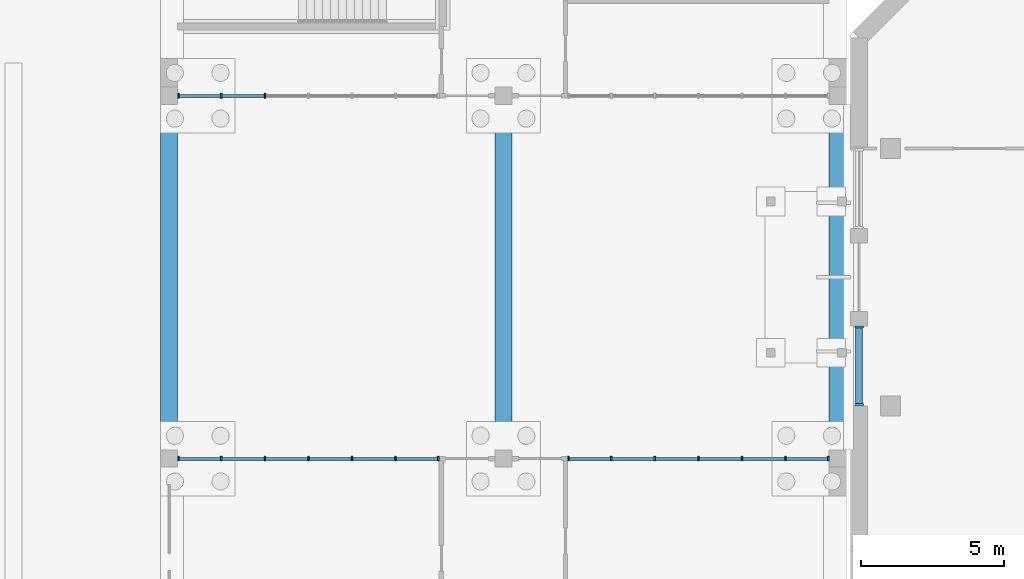
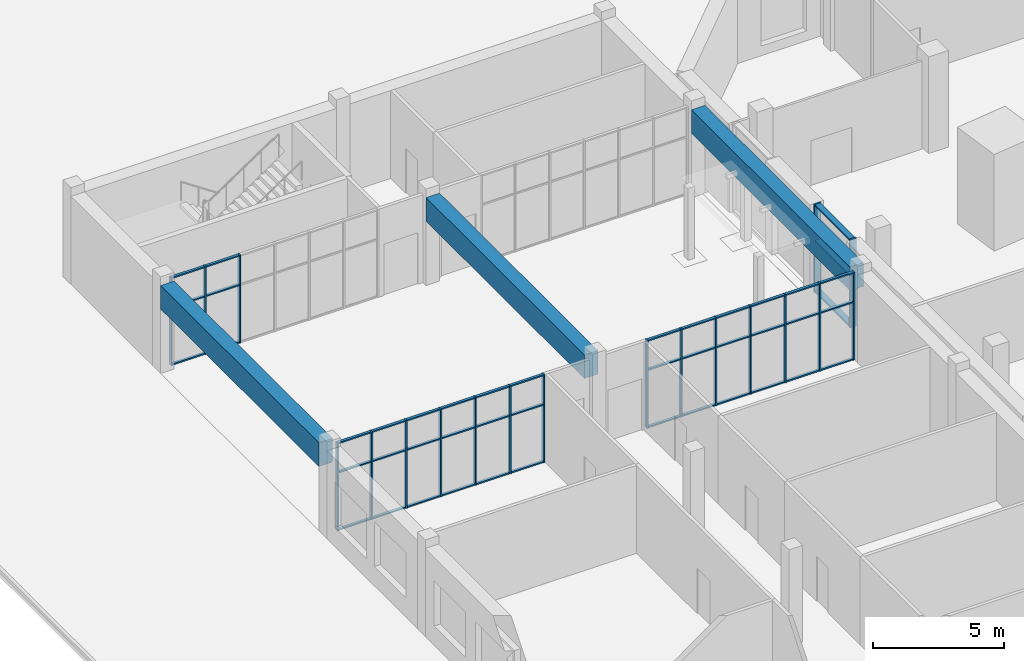
# One storey, part 11 of 42: 64 members, 3 beams, 4 elements without a shape of their own.
"""IFC4 building model written with IfcOpenShell, lengths in metres."""

from ifc_helpers import new_model, si_unit, direction, frame, origin, origin_2d, place, context, subcontext, project, spatial, rectangle, extrude, material, material_profile, profile_set, type_object, element, aggregate, save


model = new_model("IFC4")

# Units and contexts
model_context = context("Model", 3, precision=1e-05, world=origin(), true_north=direction((0.0, 1.0)))
body_context = subcontext(model_context, "Body", "Model", "MODEL_VIEW")
ifc_project = project(units=[si_unit("LENGTHUNIT", "METRE"), si_unit("AREAUNIT", "SQUARE_METRE"), si_unit("VOLUMEUNIT", "CUBIC_METRE"), si_unit("PLANEANGLEUNIT", "RADIAN"), si_unit("MASSUNIT", "GRAM", prefix="KILO")], contexts=[model_context])

# Site, building, storey
site_placement = place(None, origin())
site = spatial("IfcSite", under=ifc_project, at=site_placement, CompositionType="ELEMENT")
building_placement = place(site_placement, origin())
building = spatial("IfcBuilding", under=site, at=building_placement, Name="Dilmun Exchange Tower", CompositionType="ELEMENT")
storey_placement = place(building_placement, origin())
storey = spatial("IfcBuildingStorey", under=building, at=storey_placement, Name="L00", CompositionType="ELEMENT", Elevation=0.0)

# Curtain wall, members
ifc_material_1 = material(Name="Anodised aluminium and clear glass", Category="aluminium")
curtain_wall_type_1 = type_object("IfcCurtainWallType", Name="Concourse glazing", PredefinedType="NOTDEFINED", material=ifc_material_1)
curtain_wall_1_placement = place(storey_placement, origin())
curtain_wall_1 = element("IfcCurtainWall", 1, at=curtain_wall_1_placement, inside=storey, type_object=curtain_wall_type_1, Name="Concourse glazing run CG7.4", PredefinedType="NOTDEFINED")
ifc_material_2 = material(Name="Anodised aluminium", Category="aluminium")
ifc_material_profile_1 = material_profile(ifc_material_2, rectangle(XDim=0.300048828125, YDim=0.080078125, at=origin_2d()), Name="AL 80x300")
ifc_profile_set_1 = profile_set([ifc_material_profile_1], Name="Anodised aluminium")
member_type_1 = type_object("IfcMemberType", Name="Concourse glazing mullion 80 x 300", PredefinedType="MULLION", material=ifc_profile_set_1)
member_1_placement = place(storey_placement, frame((-35.699951171875, 20.760009765625, 0.0), z_axis=(0.0, 0.0, 1.0), x_axis=(1.0, 0.0, 0.0)))
member_1 = element("IfcMember", 2, at=member_1_placement, type_object=member_type_1, Name="CG7.4 mullion 1", PredefinedType="MULLION", context=body_context, shape_type="SweptSolid", body=[
    extrude(rectangle(XDim=0.300048828125, YDim=0.080078125, at=origin_2d()), origin(), (0.0, 0.0, 1.0), 4.10009765625),
])
member_2_placement = place(storey_placement, frame((-35.699951171875, 18.0400390625, 0.0), z_axis=(0.0, 0.0, 1.0), x_axis=(1.0, 0.0, 0.0)))
member_2 = element("IfcMember", 3, at=member_2_placement, type_object=member_type_1, Name="CG7.4 mullion 2", PredefinedType="MULLION", context=body_context, shape_type="SweptSolid", body=[
    extrude(rectangle(XDim=0.300048828125, YDim=0.080078125, at=origin_2d()), origin(), (0.0, 0.0, 1.0), 4.10009765625),
])
ifc_material_profile_2 = material_profile(ifc_material_2, rectangle(XDim=0.25, YDim=0.080078125, at=origin_2d()), Name="AL 80x250")
ifc_profile_set_2 = profile_set([ifc_material_profile_2], Name="Anodised aluminium")
member_type_2 = type_object("IfcMemberType", Name="Concourse glazing transom 80 x 250", PredefinedType="USERDEFINED", material=ifc_profile_set_2)
member_3_placement = place(storey_placement, frame((-35.699951171875, 20.719970703125, 0.0400390625), z_axis=(0.0, -1.0, 0.0), x_axis=(1.0, 0.0, 0.0)))
member_3 = element("IfcMember", 4, at=member_3_placement, type_object=member_type_2, Name="CG7.4 transom 1.1", ObjectType="TRANSOM", PredefinedType="USERDEFINED", context=body_context, shape_type="SweptSolid", body=[
    extrude(rectangle(XDim=0.25, YDim=0.080078125, at=origin_2d()), origin(), (0.0, 0.0, 1.0), 2.639892578125),
])
member_4_placement = place(storey_placement, frame((-35.699951171875, 20.719970703125, 2.39990234375), z_axis=(0.0, -1.0, 0.0), x_axis=(1.0, 0.0, 0.0)))
member_4 = element("IfcMember", 5, at=member_4_placement, type_object=member_type_2, Name="CG7.4 transom 1.2", ObjectType="TRANSOM", PredefinedType="USERDEFINED", context=body_context, shape_type="SweptSolid", body=[
    extrude(rectangle(XDim=0.25, YDim=0.080078125, at=origin_2d()), origin(), (0.0, 0.0, 1.0), 2.639892578125),
])
member_5_placement = place(storey_placement, frame((-35.699951171875, 20.719970703125, 4.06005859375), z_axis=(0.0, -1.0, 0.0), x_axis=(1.0, 0.0, 0.0)))
member_5 = element("IfcMember", 6, at=member_5_placement, type_object=member_type_2, Name="CG7.4 transom 1.3", ObjectType="TRANSOM", PredefinedType="USERDEFINED", context=body_context, shape_type="SweptSolid", body=[
    extrude(rectangle(XDim=0.25, YDim=0.080078125, at=origin_2d()), origin(), (0.0, 0.0, 1.0), 2.639892578125),
])
aggregate(curtain_wall_1, [member_1, member_2, member_3, member_4, member_5])

ifc_material_3 = material(Name="Aluminium", Category="aluminium")
curtain_wall_type_2 = type_object("IfcCurtainWallType", Name="School arcade glazing", PredefinedType="NOTDEFINED", material=ifc_material_3)
curtain_wall_2_placement = place(storey_placement, origin())
curtain_wall_2 = element("IfcCurtainWall", 7, at=curtain_wall_2_placement, inside=storey, type_object=curtain_wall_type_2, Name="School arcade glazing", PredefinedType="NOTDEFINED")
ifc_material_profile_3 = material_profile(ifc_material_3, rectangle(XDim=0.159912109375, YDim=0.06005859375, at=origin_2d()), Name="60 x 160")
ifc_profile_set_3 = profile_set([ifc_material_profile_3], Name="Aluminium")
member_type_3 = type_object("IfcMemberType", Name="School arcade glazing mullion 60 x 160", PredefinedType="MULLION", material=ifc_profile_set_3)
member_6_placement = place(storey_placement, frame((-56.5, 28.85009765625, 0.0), z_axis=(0.0, 0.0, 1.0), x_axis=(0.0, -1.0, 0.0)))
member_6 = element("IfcMember", 8, at=member_6_placement, type_object=member_type_3, Name="SCH-CW1 mullion 5", PredefinedType="MULLION", context=body_context, shape_type="SweptSolid", body=[
    extrude(rectangle(XDim=0.159912109375, YDim=0.06005859375, at=origin_2d()), origin(), (0.0, 0.0, 1.0), 4.10009765625),
])
member_7_placement = place(storey_placement, frame((-58.02490234375, 28.85009765625, 0.0), z_axis=(0.0, 0.0, 1.0), x_axis=(0.0, -1.0, 0.0)))
member_7 = element("IfcMember", 9, at=member_7_placement, type_object=member_type_3, Name="SCH-CW1 mullion 6", PredefinedType="MULLION", context=body_context, shape_type="SweptSolid", body=[
    extrude(rectangle(XDim=0.159912109375, YDim=0.06005859375, at=origin_2d()), origin(), (0.0, 0.0, 1.0), 4.10009765625),
])
member_8_placement = place(storey_placement, frame((-59.52001953125, 28.85009765625, 0.0), z_axis=(0.0, 0.0, 1.0), x_axis=(0.0, -1.0, 0.0)))
member_8 = element("IfcMember", 10, at=member_8_placement, type_object=member_type_3, Name="SCH-CW1 mullion 7", PredefinedType="MULLION", context=body_context, shape_type="SweptSolid", body=[
    extrude(rectangle(XDim=0.159912109375, YDim=0.06005859375, at=origin_2d()), origin(), (0.0, 0.0, 1.0), 4.10009765625),
])

curtain_wall_3_placement = place(storey_placement, origin())
curtain_wall_3 = element("IfcCurtainWall", 11, at=curtain_wall_3_placement, inside=storey, type_object=curtain_wall_type_2, Name="School arcade glazing", PredefinedType="NOTDEFINED")
member_9_placement = place(storey_placement, frame((-59.52001953125, 16.14990234375, 0.0), z_axis=(0.0, 0.0, 1.0), x_axis=(0.0, 1.0, 0.0)))
member_9 = element("IfcMember", 12, at=member_9_placement, type_object=member_type_3, Name="SCH-CW1 mullion 1", PredefinedType="MULLION", context=body_context, shape_type="SweptSolid", body=[
    extrude(rectangle(XDim=0.159912109375, YDim=0.06005859375, at=origin_2d()), origin(), (0.0, 0.0, 1.0), 4.10009765625),
])
member_10_placement = place(storey_placement, frame((-58.02490234375, 16.14990234375, 0.0), z_axis=(0.0, 0.0, 1.0), x_axis=(0.0, 1.0, 0.0)))
member_10 = element("IfcMember", 13, at=member_10_placement, type_object=member_type_3, Name="SCH-CW1 mullion 2", PredefinedType="MULLION", context=body_context, shape_type="SweptSolid", body=[
    extrude(rectangle(XDim=0.159912109375, YDim=0.06005859375, at=origin_2d()), origin(), (0.0, 0.0, 1.0), 4.10009765625),
])
member_11_placement = place(storey_placement, frame((-56.5, 16.14990234375, 0.0), z_axis=(0.0, 0.0, 1.0), x_axis=(0.0, 1.0, 0.0)))
member_11 = element("IfcMember", 14, at=member_11_placement, type_object=member_type_3, Name="SCH-CW1 mullion 3", PredefinedType="MULLION", context=body_context, shape_type="SweptSolid", body=[
    extrude(rectangle(XDim=0.159912109375, YDim=0.06005859375, at=origin_2d()), origin(), (0.0, 0.0, 1.0), 4.10009765625),
])
member_12_placement = place(storey_placement, frame((-54.97509765625, 16.14990234375, 0.0), z_axis=(0.0, 0.0, 1.0), x_axis=(0.0, 1.0, 0.0)))
member_12 = element("IfcMember", 15, at=member_12_placement, type_object=member_type_3, Name="SCH-CW1 mullion 4", PredefinedType="MULLION", context=body_context, shape_type="SweptSolid", body=[
    extrude(rectangle(XDim=0.159912109375, YDim=0.06005859375, at=origin_2d()), origin(), (0.0, 0.0, 1.0), 4.10009765625),
])
member_13_placement = place(storey_placement, frame((-53.449951171875, 16.14990234375, 0.0), z_axis=(0.0, 0.0, 1.0), x_axis=(0.0, 1.0, 0.0)))
member_13 = element("IfcMember", 16, at=member_13_placement, type_object=member_type_3, Name="SCH-CW1 mullion 5", PredefinedType="MULLION", context=body_context, shape_type="SweptSolid", body=[
    extrude(rectangle(XDim=0.159912109375, YDim=0.06005859375, at=origin_2d()), origin(), (0.0, 0.0, 1.0), 4.10009765625),
])
member_14_placement = place(storey_placement, frame((-51.925048828125, 16.14990234375, 0.0), z_axis=(0.0, 0.0, 1.0), x_axis=(0.0, 1.0, 0.0)))
member_14 = element("IfcMember", 17, at=member_14_placement, type_object=member_type_3, Name="SCH-CW1 mullion 6", PredefinedType="MULLION", context=body_context, shape_type="SweptSolid", body=[
    extrude(rectangle(XDim=0.159912109375, YDim=0.06005859375, at=origin_2d()), origin(), (0.0, 0.0, 1.0), 4.10009765625),
])
member_15_placement = place(storey_placement, frame((-50.429931640625, 16.14990234375, 0.0), z_axis=(0.0, 0.0, 1.0), x_axis=(0.0, 1.0, 0.0)))
member_15 = element("IfcMember", 18, at=member_15_placement, type_object=member_type_3, Name="SCH-CW1 mullion 7", PredefinedType="MULLION", context=body_context, shape_type="SweptSolid", body=[
    extrude(rectangle(XDim=0.159912109375, YDim=0.06005859375, at=origin_2d()), origin(), (0.0, 0.0, 1.0), 4.10009765625),
])

curtain_wall_4_placement = place(storey_placement, origin())
curtain_wall_4 = element("IfcCurtainWall", 19, at=curtain_wall_4_placement, inside=storey, type_object=curtain_wall_type_2, Name="School arcade glazing", PredefinedType="NOTDEFINED")
member_16_placement = place(storey_placement, frame((-45.8701171875, 16.14990234375, 0.0), z_axis=(0.0, 0.0, 1.0), x_axis=(0.0, 1.0, 0.0)))
member_16 = element("IfcMember", 20, at=member_16_placement, type_object=member_type_3, Name="SCH-CW1 mullion 1", PredefinedType="MULLION", context=body_context, shape_type="SweptSolid", body=[
    extrude(rectangle(XDim=0.159912109375, YDim=0.06005859375, at=origin_2d()), origin(), (0.0, 0.0, 1.0), 4.10009765625),
])
member_17_placement = place(storey_placement, frame((-44.375, 16.14990234375, 0.0), z_axis=(0.0, 0.0, 1.0), x_axis=(0.0, 1.0, 0.0)))
member_17 = element("IfcMember", 21, at=member_17_placement, type_object=member_type_3, Name="SCH-CW1 mullion 2", PredefinedType="MULLION", context=body_context, shape_type="SweptSolid", body=[
    extrude(rectangle(XDim=0.159912109375, YDim=0.06005859375, at=origin_2d()), origin(), (0.0, 0.0, 1.0), 4.10009765625),
])
member_18_placement = place(storey_placement, frame((-42.85009765625, 16.14990234375, 0.0), z_axis=(0.0, 0.0, 1.0), x_axis=(0.0, 1.0, 0.0)))
member_18 = element("IfcMember", 22, at=member_18_placement, type_object=member_type_3, Name="SCH-CW1 mullion 3", PredefinedType="MULLION", context=body_context, shape_type="SweptSolid", body=[
    extrude(rectangle(XDim=0.159912109375, YDim=0.06005859375, at=origin_2d()), origin(), (0.0, 0.0, 1.0), 4.10009765625),
])
member_19_placement = place(storey_placement, frame((-41.324951171875, 16.14990234375, 0.0), z_axis=(0.0, 0.0, 1.0), x_axis=(0.0, 1.0, 0.0)))
member_19 = element("IfcMember", 23, at=member_19_placement, type_object=member_type_3, Name="SCH-CW1 mullion 4", PredefinedType="MULLION", context=body_context, shape_type="SweptSolid", body=[
    extrude(rectangle(XDim=0.159912109375, YDim=0.06005859375, at=origin_2d()), origin(), (0.0, 0.0, 1.0), 4.10009765625),
])
member_20_placement = place(storey_placement, frame((-39.800048828125, 16.14990234375, 0.0), z_axis=(0.0, 0.0, 1.0), x_axis=(0.0, 1.0, 0.0)))
member_20 = element("IfcMember", 24, at=member_20_placement, type_object=member_type_3, Name="SCH-CW1 mullion 5", PredefinedType="MULLION", context=body_context, shape_type="SweptSolid", body=[
    extrude(rectangle(XDim=0.159912109375, YDim=0.06005859375, at=origin_2d()), origin(), (0.0, 0.0, 1.0), 4.10009765625),
])
member_21_placement = place(storey_placement, frame((-38.27490234375, 16.14990234375, 0.0), z_axis=(0.0, 0.0, 1.0), x_axis=(0.0, 1.0, 0.0)))
member_21 = element("IfcMember", 25, at=member_21_placement, type_object=member_type_3, Name="SCH-CW1 mullion 6", PredefinedType="MULLION", context=body_context, shape_type="SweptSolid", body=[
    extrude(rectangle(XDim=0.159912109375, YDim=0.06005859375, at=origin_2d()), origin(), (0.0, 0.0, 1.0), 4.10009765625),
])
member_22_placement = place(storey_placement, frame((-36.780029296875, 16.14990234375, 0.0), z_axis=(0.0, 0.0, 1.0), x_axis=(0.0, 1.0, 0.0)))
member_22 = element("IfcMember", 26, at=member_22_placement, type_object=member_type_3, Name="SCH-CW1 mullion 7", PredefinedType="MULLION", context=body_context, shape_type="SweptSolid", body=[
    extrude(rectangle(XDim=0.159912109375, YDim=0.06005859375, at=origin_2d()), origin(), (0.0, 0.0, 1.0), 4.10009765625),
])

# Member
ifc_material_profile_4 = material_profile(ifc_material_3, rectangle(XDim=0.1201171875, YDim=0.06005859375, at=origin_2d()), Name="60 x 120")
ifc_profile_set_4 = profile_set([ifc_material_profile_4], Name="Aluminium")
member_type_4 = type_object("IfcMemberType", Name="School arcade glazing transom 60 x 120", PredefinedType="USERDEFINED", material=ifc_profile_set_4)
member_23_placement = place(storey_placement, frame((-56.530029296875, 28.85009765625, 0.030029296875), z_axis=(-1.0, 0.0, 0.0), x_axis=(0.0, -1.0, 0.0)))
member_23 = element("IfcMember", 27, at=member_23_placement, type_object=member_type_4, Name="SCH-CW1 transom 5.1", ObjectType="TRANSOM", PredefinedType="USERDEFINED", context=body_context, shape_type="SweptSolid", body=[
    extrude(rectangle(XDim=0.1201171875, YDim=0.06005859375, at=origin_2d()), origin(), (0.0, 0.0, 1.0), 1.465087890625),
])

member_24_placement = place(storey_placement, frame((-56.530029296875, 28.85009765625, 2.699951171875), z_axis=(-1.0, 0.0, 0.0), x_axis=(0.0, -1.0, 0.0)))
member_24 = element("IfcMember", 28, at=member_24_placement, type_object=member_type_4, Name="SCH-CW1 transom 5.2", ObjectType="TRANSOM", PredefinedType="USERDEFINED", context=body_context, shape_type="SweptSolid", body=[
    extrude(rectangle(XDim=0.1201171875, YDim=0.06005859375, at=origin_2d()), origin(), (0.0, 0.0, 1.0), 1.465087890625),
])

member_25_placement = place(storey_placement, frame((-56.530029296875, 28.85009765625, 4.070068359375), z_axis=(-1.0, 0.0, 0.0), x_axis=(0.0, -1.0, 0.0)))
member_25 = element("IfcMember", 29, at=member_25_placement, type_object=member_type_4, Name="SCH-CW1 transom 5.3", ObjectType="TRANSOM", PredefinedType="USERDEFINED", context=body_context, shape_type="SweptSolid", body=[
    extrude(rectangle(XDim=0.1201171875, YDim=0.06005859375, at=origin_2d()), origin(), (0.0, 0.0, 1.0), 1.465087890625),
])

member_26_placement = place(storey_placement, frame((-58.054931640625, 28.85009765625, 0.030029296875), z_axis=(-1.0, 0.0, 0.0), x_axis=(0.0, -1.0, 0.0)))
member_26 = element("IfcMember", 30, at=member_26_placement, type_object=member_type_4, Name="SCH-CW1 transom 6.1", ObjectType="TRANSOM", PredefinedType="USERDEFINED", context=body_context, shape_type="SweptSolid", body=[
    extrude(rectangle(XDim=0.1201171875, YDim=0.06005859375, at=origin_2d()), origin(), (0.0, 0.0, 1.0), 1.43505859375),
])

member_27_placement = place(storey_placement, frame((-58.054931640625, 28.85009765625, 2.699951171875), z_axis=(-1.0, 0.0, 0.0), x_axis=(0.0, -1.0, 0.0)))
member_27 = element("IfcMember", 31, at=member_27_placement, type_object=member_type_4, Name="SCH-CW1 transom 6.2", ObjectType="TRANSOM", PredefinedType="USERDEFINED", context=body_context, shape_type="SweptSolid", body=[
    extrude(rectangle(XDim=0.1201171875, YDim=0.06005859375, at=origin_2d()), origin(), (0.0, 0.0, 1.0), 1.43505859375),
])

member_28_placement = place(storey_placement, frame((-58.054931640625, 28.85009765625, 4.070068359375), z_axis=(-1.0, 0.0, 0.0), x_axis=(0.0, -1.0, 0.0)))
member_28 = element("IfcMember", 32, at=member_28_placement, type_object=member_type_4, Name="SCH-CW1 transom 6.3", ObjectType="TRANSOM", PredefinedType="USERDEFINED", context=body_context, shape_type="SweptSolid", body=[
    extrude(rectangle(XDim=0.1201171875, YDim=0.06005859375, at=origin_2d()), origin(), (0.0, 0.0, 1.0), 1.43505859375),
])

aggregate(curtain_wall_2, [member_6, member_7, member_8, member_23, member_24, member_25, member_26, member_27, member_28])

member_29_placement = place(storey_placement, frame((-59.489990234375, 16.14990234375, 0.030029296875), z_axis=(1.0, 0.0, 0.0), x_axis=(0.0, 1.0, 0.0)))
member_29 = element("IfcMember", 33, at=member_29_placement, type_object=member_type_4, Name="SCH-CW1 transom 1.1", ObjectType="TRANSOM", PredefinedType="USERDEFINED", context=body_context, shape_type="SweptSolid", body=[
    extrude(rectangle(XDim=0.1201171875, YDim=0.06005859375, at=origin_2d()), origin(), (0.0, 0.0, 1.0), 1.43505859375),
])

member_30_placement = place(storey_placement, frame((-59.489990234375, 16.14990234375, 2.699951171875), z_axis=(1.0, 0.0, 0.0), x_axis=(0.0, 1.0, 0.0)))
member_30 = element("IfcMember", 34, at=member_30_placement, type_object=member_type_4, Name="SCH-CW1 transom 1.2", ObjectType="TRANSOM", PredefinedType="USERDEFINED", context=body_context, shape_type="SweptSolid", body=[
    extrude(rectangle(XDim=0.1201171875, YDim=0.06005859375, at=origin_2d()), origin(), (0.0, 0.0, 1.0), 1.43505859375),
])

member_31_placement = place(storey_placement, frame((-59.489990234375, 16.14990234375, 4.070068359375), z_axis=(1.0, 0.0, 0.0), x_axis=(0.0, 1.0, 0.0)))
member_31 = element("IfcMember", 35, at=member_31_placement, type_object=member_type_4, Name="SCH-CW1 transom 1.3", ObjectType="TRANSOM", PredefinedType="USERDEFINED", context=body_context, shape_type="SweptSolid", body=[
    extrude(rectangle(XDim=0.1201171875, YDim=0.06005859375, at=origin_2d()), origin(), (0.0, 0.0, 1.0), 1.43505859375),
])

member_32_placement = place(storey_placement, frame((-57.9951171875, 16.14990234375, 0.030029296875), z_axis=(1.0, 0.0, 0.0), x_axis=(0.0, 1.0, 0.0)))
member_32 = element("IfcMember", 36, at=member_32_placement, type_object=member_type_4, Name="SCH-CW1 transom 2.1", ObjectType="TRANSOM", PredefinedType="USERDEFINED", context=body_context, shape_type="SweptSolid", body=[
    extrude(rectangle(XDim=0.1201171875, YDim=0.06005859375, at=origin_2d()), origin(), (0.0, 0.0, 1.0), 1.465087890625),
])

member_33_placement = place(storey_placement, frame((-57.9951171875, 16.14990234375, 2.699951171875), z_axis=(1.0, 0.0, 0.0), x_axis=(0.0, 1.0, 0.0)))
member_33 = element("IfcMember", 37, at=member_33_placement, type_object=member_type_4, Name="SCH-CW1 transom 2.2", ObjectType="TRANSOM", PredefinedType="USERDEFINED", context=body_context, shape_type="SweptSolid", body=[
    extrude(rectangle(XDim=0.1201171875, YDim=0.06005859375, at=origin_2d()), origin(), (0.0, 0.0, 1.0), 1.465087890625),
])

member_34_placement = place(storey_placement, frame((-57.9951171875, 16.14990234375, 4.070068359375), z_axis=(1.0, 0.0, 0.0), x_axis=(0.0, 1.0, 0.0)))
member_34 = element("IfcMember", 38, at=member_34_placement, type_object=member_type_4, Name="SCH-CW1 transom 2.3", ObjectType="TRANSOM", PredefinedType="USERDEFINED", context=body_context, shape_type="SweptSolid", body=[
    extrude(rectangle(XDim=0.1201171875, YDim=0.06005859375, at=origin_2d()), origin(), (0.0, 0.0, 1.0), 1.465087890625),
])

member_35_placement = place(storey_placement, frame((-56.469970703125, 16.14990234375, 0.030029296875), z_axis=(1.0, 0.0, 0.0), x_axis=(0.0, 1.0, 0.0)))
member_35 = element("IfcMember", 39, at=member_35_placement, type_object=member_type_4, Name="SCH-CW1 transom 3.1", ObjectType="TRANSOM", PredefinedType="USERDEFINED", context=body_context, shape_type="SweptSolid", body=[
    extrude(rectangle(XDim=0.1201171875, YDim=0.06005859375, at=origin_2d()), origin(), (0.0, 0.0, 1.0), 1.465087890625),
])

member_36_placement = place(storey_placement, frame((-56.469970703125, 16.14990234375, 2.699951171875), z_axis=(1.0, 0.0, 0.0), x_axis=(0.0, 1.0, 0.0)))
member_36 = element("IfcMember", 40, at=member_36_placement, type_object=member_type_4, Name="SCH-CW1 transom 3.2", ObjectType="TRANSOM", PredefinedType="USERDEFINED", context=body_context, shape_type="SweptSolid", body=[
    extrude(rectangle(XDim=0.1201171875, YDim=0.06005859375, at=origin_2d()), origin(), (0.0, 0.0, 1.0), 1.465087890625),
])

member_37_placement = place(storey_placement, frame((-56.469970703125, 16.14990234375, 4.070068359375), z_axis=(1.0, 0.0, 0.0), x_axis=(0.0, 1.0, 0.0)))
member_37 = element("IfcMember", 41, at=member_37_placement, type_object=member_type_4, Name="SCH-CW1 transom 3.3", ObjectType="TRANSOM", PredefinedType="USERDEFINED", context=body_context, shape_type="SweptSolid", body=[
    extrude(rectangle(XDim=0.1201171875, YDim=0.06005859375, at=origin_2d()), origin(), (0.0, 0.0, 1.0), 1.465087890625),
])

member_38_placement = place(storey_placement, frame((-54.945068359375, 16.14990234375, 0.030029296875), z_axis=(1.0, 0.0, 0.0), x_axis=(0.0, 1.0, 0.0)))
member_38 = element("IfcMember", 42, at=member_38_placement, type_object=member_type_4, Name="SCH-CW1 transom 4.1", ObjectType="TRANSOM", PredefinedType="USERDEFINED", context=body_context, shape_type="SweptSolid", body=[
    extrude(rectangle(XDim=0.1201171875, YDim=0.06005859375, at=origin_2d()), origin(), (0.0, 0.0, 1.0), 1.465087890625),
])

member_39_placement = place(storey_placement, frame((-54.945068359375, 16.14990234375, 2.699951171875), z_axis=(1.0, 0.0, 0.0), x_axis=(0.0, 1.0, 0.0)))
member_39 = element("IfcMember", 43, at=member_39_placement, type_object=member_type_4, Name="SCH-CW1 transom 4.2", ObjectType="TRANSOM", PredefinedType="USERDEFINED", context=body_context, shape_type="SweptSolid", body=[
    extrude(rectangle(XDim=0.1201171875, YDim=0.06005859375, at=origin_2d()), origin(), (0.0, 0.0, 1.0), 1.465087890625),
])

member_40_placement = place(storey_placement, frame((-54.945068359375, 16.14990234375, 4.070068359375), z_axis=(1.0, 0.0, 0.0), x_axis=(0.0, 1.0, 0.0)))
member_40 = element("IfcMember", 44, at=member_40_placement, type_object=member_type_4, Name="SCH-CW1 transom 4.3", ObjectType="TRANSOM", PredefinedType="USERDEFINED", context=body_context, shape_type="SweptSolid", body=[
    extrude(rectangle(XDim=0.1201171875, YDim=0.06005859375, at=origin_2d()), origin(), (0.0, 0.0, 1.0), 1.465087890625),
])

member_41_placement = place(storey_placement, frame((-53.419921875, 16.14990234375, 0.030029296875), z_axis=(1.0, 0.0, 0.0), x_axis=(0.0, 1.0, 0.0)))
member_41 = element("IfcMember", 45, at=member_41_placement, type_object=member_type_4, Name="SCH-CW1 transom 5.1", ObjectType="TRANSOM", PredefinedType="USERDEFINED", context=body_context, shape_type="SweptSolid", body=[
    extrude(rectangle(XDim=0.1201171875, YDim=0.06005859375, at=origin_2d()), origin(), (0.0, 0.0, 1.0), 1.46484375),
])

member_42_placement = place(storey_placement, frame((-53.419921875, 16.14990234375, 2.699951171875), z_axis=(1.0, 0.0, 0.0), x_axis=(0.0, 1.0, 0.0)))
member_42 = element("IfcMember", 46, at=member_42_placement, type_object=member_type_4, Name="SCH-CW1 transom 5.2", ObjectType="TRANSOM", PredefinedType="USERDEFINED", context=body_context, shape_type="SweptSolid", body=[
    extrude(rectangle(XDim=0.1201171875, YDim=0.06005859375, at=origin_2d()), origin(), (0.0, 0.0, 1.0), 1.46484375),
])

member_43_placement = place(storey_placement, frame((-53.419921875, 16.14990234375, 4.070068359375), z_axis=(1.0, 0.0, 0.0), x_axis=(0.0, 1.0, 0.0)))
member_43 = element("IfcMember", 47, at=member_43_placement, type_object=member_type_4, Name="SCH-CW1 transom 5.3", ObjectType="TRANSOM", PredefinedType="USERDEFINED", context=body_context, shape_type="SweptSolid", body=[
    extrude(rectangle(XDim=0.1201171875, YDim=0.06005859375, at=origin_2d()), origin(), (0.0, 0.0, 1.0), 1.46484375),
])

member_44_placement = place(storey_placement, frame((-51.89501953125, 16.14990234375, 0.030029296875), z_axis=(1.0, 0.0, 0.0), x_axis=(0.0, 1.0, 0.0)))
member_44 = element("IfcMember", 48, at=member_44_placement, type_object=member_type_4, Name="SCH-CW1 transom 6.1", ObjectType="TRANSOM", PredefinedType="USERDEFINED", context=body_context, shape_type="SweptSolid", body=[
    extrude(rectangle(XDim=0.1201171875, YDim=0.06005859375, at=origin_2d()), origin(), (0.0, 0.0, 1.0), 1.43505859375),
])

member_45_placement = place(storey_placement, frame((-51.89501953125, 16.14990234375, 2.699951171875), z_axis=(1.0, 0.0, 0.0), x_axis=(0.0, 1.0, 0.0)))
member_45 = element("IfcMember", 49, at=member_45_placement, type_object=member_type_4, Name="SCH-CW1 transom 6.2", ObjectType="TRANSOM", PredefinedType="USERDEFINED", context=body_context, shape_type="SweptSolid", body=[
    extrude(rectangle(XDim=0.1201171875, YDim=0.06005859375, at=origin_2d()), origin(), (0.0, 0.0, 1.0), 1.43505859375),
])

member_46_placement = place(storey_placement, frame((-51.89501953125, 16.14990234375, 4.070068359375), z_axis=(1.0, 0.0, 0.0), x_axis=(0.0, 1.0, 0.0)))
member_46 = element("IfcMember", 50, at=member_46_placement, type_object=member_type_4, Name="SCH-CW1 transom 6.3", ObjectType="TRANSOM", PredefinedType="USERDEFINED", context=body_context, shape_type="SweptSolid", body=[
    extrude(rectangle(XDim=0.1201171875, YDim=0.06005859375, at=origin_2d()), origin(), (0.0, 0.0, 1.0), 1.43505859375),
])

aggregate(curtain_wall_3, [member_9, member_10, member_11, member_12, member_13, member_14, member_15, member_29, member_30, member_31, member_32, member_33, member_34, member_35, member_36, member_37, member_38, member_39, member_40, member_41, member_42, member_43, member_44, member_45, member_46])

member_47_placement = place(storey_placement, frame((-45.840087890625, 16.14990234375, 0.030029296875), z_axis=(1.0, 0.0, 0.0), x_axis=(0.0, 1.0, 0.0)))
member_47 = element("IfcMember", 51, at=member_47_placement, type_object=member_type_4, Name="SCH-CW1 transom 1.1", ObjectType="TRANSOM", PredefinedType="USERDEFINED", context=body_context, shape_type="SweptSolid", body=[
    extrude(rectangle(XDim=0.1201171875, YDim=0.06005859375, at=origin_2d()), origin(), (0.0, 0.0, 1.0), 1.43505859375),
])

member_48_placement = place(storey_placement, frame((-45.840087890625, 16.14990234375, 2.699951171875), z_axis=(1.0, 0.0, 0.0), x_axis=(0.0, 1.0, 0.0)))
member_48 = element("IfcMember", 52, at=member_48_placement, type_object=member_type_4, Name="SCH-CW1 transom 1.2", ObjectType="TRANSOM", PredefinedType="USERDEFINED", context=body_context, shape_type="SweptSolid", body=[
    extrude(rectangle(XDim=0.1201171875, YDim=0.06005859375, at=origin_2d()), origin(), (0.0, 0.0, 1.0), 1.43505859375),
])

member_49_placement = place(storey_placement, frame((-45.840087890625, 16.14990234375, 4.070068359375), z_axis=(1.0, 0.0, 0.0), x_axis=(0.0, 1.0, 0.0)))
member_49 = element("IfcMember", 53, at=member_49_placement, type_object=member_type_4, Name="SCH-CW1 transom 1.3", ObjectType="TRANSOM", PredefinedType="USERDEFINED", context=body_context, shape_type="SweptSolid", body=[
    extrude(rectangle(XDim=0.1201171875, YDim=0.06005859375, at=origin_2d()), origin(), (0.0, 0.0, 1.0), 1.43505859375),
])

member_50_placement = place(storey_placement, frame((-44.344970703125, 16.14990234375, 0.030029296875), z_axis=(1.0, 0.0, 0.0), x_axis=(0.0, 1.0, 0.0)))
member_50 = element("IfcMember", 54, at=member_50_placement, type_object=member_type_4, Name="SCH-CW1 transom 2.1", ObjectType="TRANSOM", PredefinedType="USERDEFINED", context=body_context, shape_type="SweptSolid", body=[
    extrude(rectangle(XDim=0.1201171875, YDim=0.06005859375, at=origin_2d()), origin(), (0.0, 0.0, 1.0), 1.465087890625),
])

member_51_placement = place(storey_placement, frame((-44.344970703125, 16.14990234375, 2.699951171875), z_axis=(1.0, 0.0, 0.0), x_axis=(0.0, 1.0, 0.0)))
member_51 = element("IfcMember", 55, at=member_51_placement, type_object=member_type_4, Name="SCH-CW1 transom 2.2", ObjectType="TRANSOM", PredefinedType="USERDEFINED", context=body_context, shape_type="SweptSolid", body=[
    extrude(rectangle(XDim=0.1201171875, YDim=0.06005859375, at=origin_2d()), origin(), (0.0, 0.0, 1.0), 1.465087890625),
])

member_52_placement = place(storey_placement, frame((-44.344970703125, 16.14990234375, 4.070068359375), z_axis=(1.0, 0.0, 0.0), x_axis=(0.0, 1.0, 0.0)))
member_52 = element("IfcMember", 56, at=member_52_placement, type_object=member_type_4, Name="SCH-CW1 transom 2.3", ObjectType="TRANSOM", PredefinedType="USERDEFINED", context=body_context, shape_type="SweptSolid", body=[
    extrude(rectangle(XDim=0.1201171875, YDim=0.06005859375, at=origin_2d()), origin(), (0.0, 0.0, 1.0), 1.465087890625),
])

member_53_placement = place(storey_placement, frame((-42.820068359375, 16.14990234375, 0.030029296875), z_axis=(1.0, 0.0, 0.0), x_axis=(0.0, 1.0, 0.0)))
member_53 = element("IfcMember", 57, at=member_53_placement, type_object=member_type_4, Name="SCH-CW1 transom 3.1", ObjectType="TRANSOM", PredefinedType="USERDEFINED", context=body_context, shape_type="SweptSolid", body=[
    extrude(rectangle(XDim=0.1201171875, YDim=0.06005859375, at=origin_2d()), origin(), (0.0, 0.0, 1.0), 1.465087890625),
])

member_54_placement = place(storey_placement, frame((-42.820068359375, 16.14990234375, 2.699951171875), z_axis=(1.0, 0.0, 0.0), x_axis=(0.0, 1.0, 0.0)))
member_54 = element("IfcMember", 58, at=member_54_placement, type_object=member_type_4, Name="SCH-CW1 transom 3.2", ObjectType="TRANSOM", PredefinedType="USERDEFINED", context=body_context, shape_type="SweptSolid", body=[
    extrude(rectangle(XDim=0.1201171875, YDim=0.06005859375, at=origin_2d()), origin(), (0.0, 0.0, 1.0), 1.465087890625),
])

member_55_placement = place(storey_placement, frame((-42.820068359375, 16.14990234375, 4.070068359375), z_axis=(1.0, 0.0, 0.0), x_axis=(0.0, 1.0, 0.0)))
member_55 = element("IfcMember", 59, at=member_55_placement, type_object=member_type_4, Name="SCH-CW1 transom 3.3", ObjectType="TRANSOM", PredefinedType="USERDEFINED", context=body_context, shape_type="SweptSolid", body=[
    extrude(rectangle(XDim=0.1201171875, YDim=0.06005859375, at=origin_2d()), origin(), (0.0, 0.0, 1.0), 1.465087890625),
])

member_56_placement = place(storey_placement, frame((-41.294921875, 16.14990234375, 0.030029296875), z_axis=(1.0, 0.0, 0.0), x_axis=(0.0, 1.0, 0.0)))
member_56 = element("IfcMember", 60, at=member_56_placement, type_object=member_type_4, Name="SCH-CW1 transom 4.1", ObjectType="TRANSOM", PredefinedType="USERDEFINED", context=body_context, shape_type="SweptSolid", body=[
    extrude(rectangle(XDim=0.1201171875, YDim=0.06005859375, at=origin_2d()), origin(), (0.0, 0.0, 1.0), 1.46484375),
])

member_57_placement = place(storey_placement, frame((-41.294921875, 16.14990234375, 2.699951171875), z_axis=(1.0, 0.0, 0.0), x_axis=(0.0, 1.0, 0.0)))
member_57 = element("IfcMember", 61, at=member_57_placement, type_object=member_type_4, Name="SCH-CW1 transom 4.2", ObjectType="TRANSOM", PredefinedType="USERDEFINED", context=body_context, shape_type="SweptSolid", body=[
    extrude(rectangle(XDim=0.1201171875, YDim=0.06005859375, at=origin_2d()), origin(), (0.0, 0.0, 1.0), 1.46484375),
])

member_58_placement = place(storey_placement, frame((-41.294921875, 16.14990234375, 4.070068359375), z_axis=(1.0, 0.0, 0.0), x_axis=(0.0, 1.0, 0.0)))
member_58 = element("IfcMember", 62, at=member_58_placement, type_object=member_type_4, Name="SCH-CW1 transom 4.3", ObjectType="TRANSOM", PredefinedType="USERDEFINED", context=body_context, shape_type="SweptSolid", body=[
    extrude(rectangle(XDim=0.1201171875, YDim=0.06005859375, at=origin_2d()), origin(), (0.0, 0.0, 1.0), 1.46484375),
])

member_59_placement = place(storey_placement, frame((-39.77001953125, 16.14990234375, 0.030029296875), z_axis=(1.0, 0.0, 0.0), x_axis=(0.0, 1.0, 0.0)))
member_59 = element("IfcMember", 63, at=member_59_placement, type_object=member_type_4, Name="SCH-CW1 transom 5.1", ObjectType="TRANSOM", PredefinedType="USERDEFINED", context=body_context, shape_type="SweptSolid", body=[
    extrude(rectangle(XDim=0.1201171875, YDim=0.06005859375, at=origin_2d()), origin(), (0.0, 0.0, 1.0), 1.465087890625),
])

member_60_placement = place(storey_placement, frame((-39.77001953125, 16.14990234375, 2.699951171875), z_axis=(1.0, 0.0, 0.0), x_axis=(0.0, 1.0, 0.0)))
member_60 = element("IfcMember", 64, at=member_60_placement, type_object=member_type_4, Name="SCH-CW1 transom 5.2", ObjectType="TRANSOM", PredefinedType="USERDEFINED", context=body_context, shape_type="SweptSolid", body=[
    extrude(rectangle(XDim=0.1201171875, YDim=0.06005859375, at=origin_2d()), origin(), (0.0, 0.0, 1.0), 1.465087890625),
])

member_61_placement = place(storey_placement, frame((-39.77001953125, 16.14990234375, 4.070068359375), z_axis=(1.0, 0.0, 0.0), x_axis=(0.0, 1.0, 0.0)))
member_61 = element("IfcMember", 65, at=member_61_placement, type_object=member_type_4, Name="SCH-CW1 transom 5.3", ObjectType="TRANSOM", PredefinedType="USERDEFINED", context=body_context, shape_type="SweptSolid", body=[
    extrude(rectangle(XDim=0.1201171875, YDim=0.06005859375, at=origin_2d()), origin(), (0.0, 0.0, 1.0), 1.465087890625),
])

member_62_placement = place(storey_placement, frame((-38.2451171875, 16.14990234375, 0.030029296875), z_axis=(1.0, 0.0, 0.0), x_axis=(0.0, 1.0, 0.0)))
member_62 = element("IfcMember", 66, at=member_62_placement, type_object=member_type_4, Name="SCH-CW1 transom 6.1", ObjectType="TRANSOM", PredefinedType="USERDEFINED", context=body_context, shape_type="SweptSolid", body=[
    extrude(rectangle(XDim=0.1201171875, YDim=0.06005859375, at=origin_2d()), origin(), (0.0, 0.0, 1.0), 1.43505859375),
])

member_63_placement = place(storey_placement, frame((-38.2451171875, 16.14990234375, 2.699951171875), z_axis=(1.0, 0.0, 0.0), x_axis=(0.0, 1.0, 0.0)))
member_63 = element("IfcMember", 67, at=member_63_placement, type_object=member_type_4, Name="SCH-CW1 transom 6.2", ObjectType="TRANSOM", PredefinedType="USERDEFINED", context=body_context, shape_type="SweptSolid", body=[
    extrude(rectangle(XDim=0.1201171875, YDim=0.06005859375, at=origin_2d()), origin(), (0.0, 0.0, 1.0), 1.43505859375),
])

member_64_placement = place(storey_placement, frame((-38.2451171875, 16.14990234375, 4.070068359375), z_axis=(1.0, 0.0, 0.0), x_axis=(0.0, 1.0, 0.0)))
member_64 = element("IfcMember", 68, at=member_64_placement, type_object=member_type_4, Name="SCH-CW1 transom 6.3", ObjectType="TRANSOM", PredefinedType="USERDEFINED", context=body_context, shape_type="SweptSolid", body=[
    extrude(rectangle(XDim=0.1201171875, YDim=0.06005859375, at=origin_2d()), origin(), (0.0, 0.0, 1.0), 1.43505859375),
])

aggregate(curtain_wall_4, [member_16, member_17, member_18, member_19, member_20, member_21, member_22, member_47, member_48, member_49, member_50, member_51, member_52, member_53, member_54, member_55, member_56, member_57, member_58, member_59, member_60, member_61, member_62, member_63, member_64])

# Beams
ifc_material_4 = material(Name="Concrete C40/50", Category="concrete")
ifc_material_profile_5 = material_profile(ifc_material_4, rectangle(XDim=0.60009765625, YDim=1.10009765625, at=origin_2d()), Name="600 x 1100")
ifc_profile_set_5 = profile_set([ifc_material_profile_5], Name="Concrete C40/50")
beam_type = type_object("IfcBeamType", Name="School girder 600 x 1100", PredefinedType="BEAM", material=ifc_profile_set_5)
for number, where, z_axis, x_axis, name in (
    (69, (-59.85009765625, 16.449951171875, 3.550048828125), (0.0, 1.0, 0.0), (-1.0, 0.0, 0.0), "School girder over arcade"),
    (70, (-48.14990234375, 16.449951171875, 3.550048828125), (0.0, 1.0, 0.0), (-1.0, 0.0, 0.0), "School girder over arcade"),
    (71, (-36.449951171875, 16.449951171875, 3.550048828125), (0.0, 1.0, 0.0), (-1.0, 0.0, 0.0), "School girder over arcade"),
):
    element("IfcBeam", number, at=place(storey_placement, frame(where, z_axis=z_axis, x_axis=x_axis)), inside=storey, type_object=beam_type, Name=name, PredefinedType="BEAM", context=body_context, shape_type="SweptSolid", body=[
        extrude(rectangle(XDim=0.60009765625, YDim=1.10009765625, at=origin_2d()), origin(), (0.0, 0.0, 1.0), 12.10009765625),
    ])

save(model, "model.ifc")
